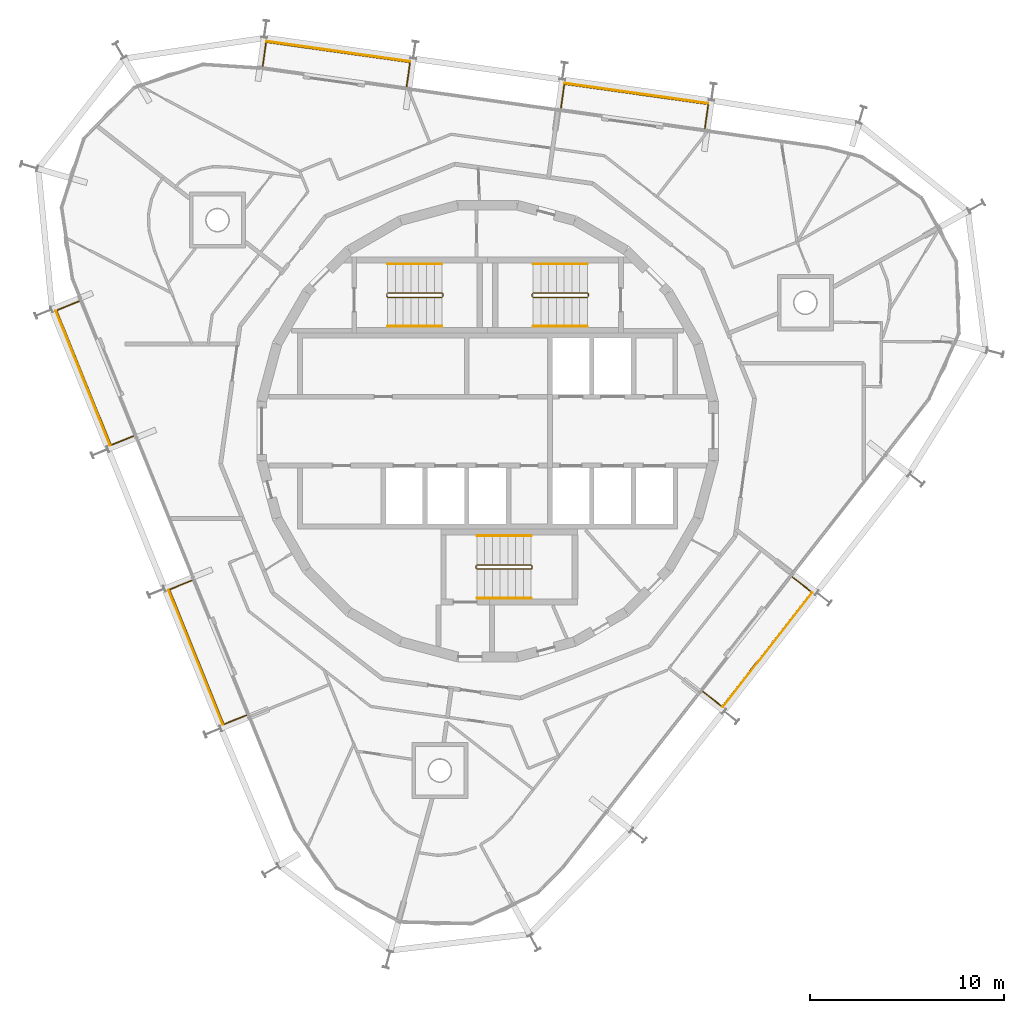
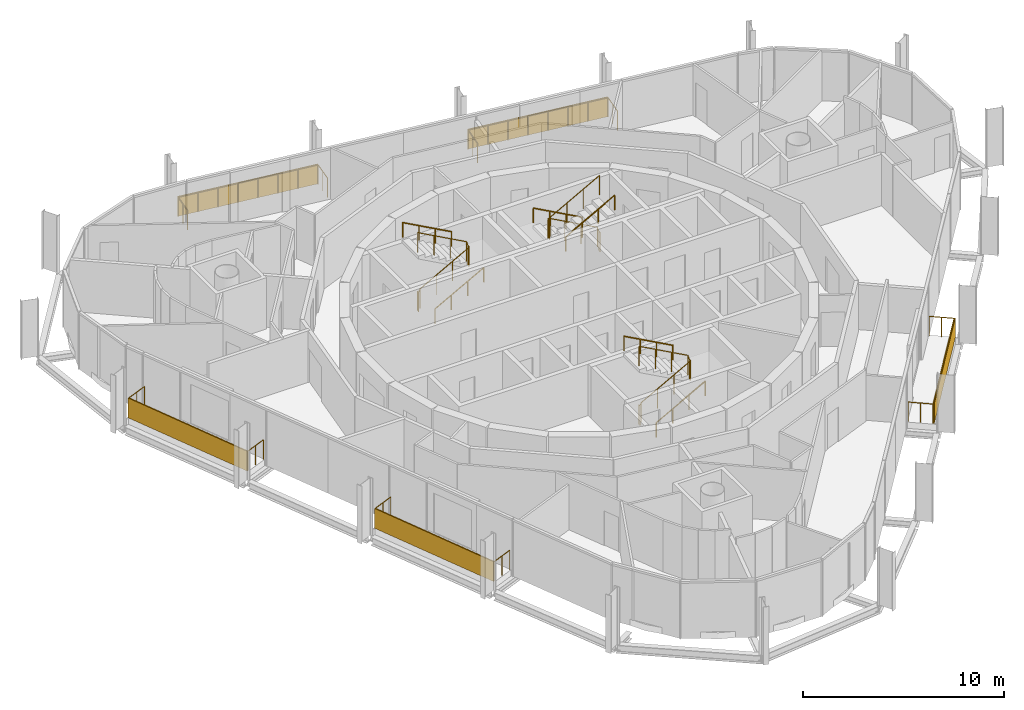
# One storey, part 15 of 15: 14 railings, 5 shading devices.
"""IFC4 building model written with IfcOpenShell, lengths in metres."""

from ifc_helpers import new_model, si_unit, direction, frame, origin, origin_2d, place, context, subcontext, project, spatial, rectangle, circle, extrude, material, layer, layer_set, type_object, element, save


model = new_model("IFC4")

# Units and contexts
model_context = context("Model", 3, precision=1e-05, world=origin(), true_north=direction((0.0, 1.0)))
body_context = subcontext(model_context, "Body", "Model", "MODEL_VIEW")
ifc_project = project(units=[si_unit("LENGTHUNIT", "METRE"), si_unit("AREAUNIT", "SQUARE_METRE"), si_unit("VOLUMEUNIT", "CUBIC_METRE"), si_unit("PLANEANGLEUNIT", "RADIAN"), si_unit("MASSUNIT", "GRAM", prefix="KILO")], contexts=[model_context])

# Site, building, storey
site_placement = place(None, origin())
site = spatial("IfcSite", under=ifc_project, at=site_placement, CompositionType="ELEMENT")
building_placement = place(site_placement, origin())
building = spatial("IfcBuilding", under=site, at=building_placement, Name="Spindle Arch Residences", CompositionType="ELEMENT")
storey_placement = place(building_placement, frame((0.0, 0.0, 343.5)))
storey = spatial("IfcBuildingStorey", under=building, at=storey_placement, Name="L88", CompositionType="ELEMENT", Elevation=343.5)

# Railings
ifc_material_1 = material(Name="Bronze anodised aluminium guard with glass infill", Category="aluminium")
railing_type_1 = type_object("IfcRailingType", Name="Balcony guard 1200", PredefinedType="GUARDRAIL", material=ifc_material_1)
railing_1_placement = place(storey_placement, frame((11.2080078125, 15.62060546875, 0.0)))
element("IfcRailing", 1, at=railing_1_placement, inside=storey, type_object=railing_type_1, Name="Guard L88 bay 6", PredefinedType="GUARDRAIL", context=body_context, shape_type="SweptSolid", body=[
    extrude(circle(Radius=0.02392578125, at=origin_2d()), frame((0.0, 0.0, 1.17578125), z_axis=(0.139069280047, 0.99028265427, 0.0), x_axis=(-0.99028265427, 0.139069280047, 0.0)), (0.0, 0.0, 1.0), 1.25),
    extrude(circle(Radius=0.02392578125, at=origin_2d()), frame((0.173828125, 1.23779296875, 1.17578125), z_axis=(-0.990267453735, 0.139177476887, 0.0), x_axis=(-0.139177476887, -0.990267453735, 0.0)), (0.0, 0.0, 1.0), 7.49560546875),
    extrude(circle(Radius=0.02392578125, at=origin_2d()), frame((-7.248779296875, 2.281005859375, 1.17578125), z_axis=(-0.139260816682, -0.990255737139, 0.0), x_axis=(0.990255737139, -0.139260816682, 0.0)), (0.0, 0.0, 1.0), 1.25),
    extrude(circle(Radius=0.02099609375, at=origin_2d()), origin(), (0.0, 0.0, 1.0), 1.15185546875),
    extrude(circle(Radius=0.02099609375, at=origin_2d()), frame((0.0869140625, 0.618896484375, 0.0)), (0.0, 0.0, 1.0), 1.15185546875),
    extrude(circle(Radius=0.02099609375, at=origin_2d()), frame((0.173828125, 1.23779296875, 0.0)), (0.0, 0.0, 1.0), 1.15185546875),
    extrude(circle(Radius=0.02099609375, at=origin_2d()), frame((-0.886474609375, 1.38671875, 0.0)), (0.0, 0.0, 1.0), 1.15185546875),
    extrude(circle(Radius=0.02099609375, at=origin_2d()), frame((-1.947021484375, 1.535888671875, 0.0)), (0.0, 0.0, 1.0), 1.15185546875),
    extrude(circle(Radius=0.02099609375, at=origin_2d()), frame((-3.00732421875, 1.684814453125, 0.0)), (0.0, 0.0, 1.0), 1.15185546875),
    extrude(circle(Radius=0.02099609375, at=origin_2d()), frame((-4.067626953125, 1.833984375, 0.0)), (0.0, 0.0, 1.0), 1.15185546875),
    extrude(circle(Radius=0.02099609375, at=origin_2d()), frame((-5.1279296875, 1.98291015625, 0.0)), (0.0, 0.0, 1.0), 1.15185546875),
    extrude(circle(Radius=0.02099609375, at=origin_2d()), frame((-6.1884765625, 2.132080078125, 0.0)), (0.0, 0.0, 1.0), 1.15185546875),
    extrude(circle(Radius=0.02099609375, at=origin_2d()), frame((-7.248779296875, 2.281005859375, 0.0)), (0.0, 0.0, 1.0), 1.15185546875),
    extrude(circle(Radius=0.02099609375, at=origin_2d()), frame((-7.3359375, 1.662109375, 0.0)), (0.0, 0.0, 1.0), 1.15185546875),
    extrude(circle(Radius=0.02099609375, at=origin_2d()), frame((-7.4228515625, 1.043212890625, 0.0)), (0.0, 0.0, 1.0), 1.15185546875),
])
railing_2_placement = place(storey_placement, frame((-4.172119140625, 17.7822265625, 0.0)))
element("IfcRailing", 2, at=railing_2_placement, inside=storey, type_object=railing_type_1, Name="Guard L88 bay 8", PredefinedType="GUARDRAIL", context=body_context, shape_type="SweptSolid", body=[
    extrude(circle(Radius=0.02392578125, at=origin_2d()), frame((0.0, 0.0, 1.17578125), z_axis=(0.139260816682, 0.990255737139, 0.0), x_axis=(-0.990255737139, 0.139260816682, 0.0)), (0.0, 0.0, 1.0), 1.25),
    extrude(circle(Radius=0.02392578125, at=origin_2d()), frame((0.174072265625, 1.23779296875, 1.17578125), z_axis=(-0.990268084624, 0.139172987949, 0.0), x_axis=(-0.139172987949, -0.990268084624, 0.0)), (0.0, 0.0, 1.0), 7.495849609375),
    extrude(circle(Radius=0.02392578125, at=origin_2d()), frame((-7.248779296875, 2.281005859375, 1.17578125), z_axis=(-0.13904238586, -0.990286430753, 0.0), x_axis=(0.990286430753, -0.13904238586, 0.0)), (0.0, 0.0, 1.0), 1.250244140625),
    extrude(circle(Radius=0.02099609375, at=origin_2d()), origin(), (0.0, 0.0, 1.0), 1.15185546875),
    extrude(circle(Radius=0.02099609375, at=origin_2d()), frame((0.0869140625, 0.618896484375, 0.0)), (0.0, 0.0, 1.0), 1.15185546875),
    extrude(circle(Radius=0.02099609375, at=origin_2d()), frame((0.174072265625, 1.23779296875, 0.0)), (0.0, 0.0, 1.0), 1.15185546875),
    extrude(circle(Radius=0.02099609375, at=origin_2d()), frame((-0.88623046875, 1.38671875, 0.0)), (0.0, 0.0, 1.0), 1.15185546875),
    extrude(circle(Radius=0.02099609375, at=origin_2d()), frame((-1.94677734375, 1.535888671875, 0.0)), (0.0, 0.0, 1.0), 1.15185546875),
    extrude(circle(Radius=0.02099609375, at=origin_2d()), frame((-3.007080078125, 1.684814453125, 0.0)), (0.0, 0.0, 1.0), 1.15185546875),
    extrude(circle(Radius=0.02099609375, at=origin_2d()), frame((-4.067626953125, 1.833984375, 0.0)), (0.0, 0.0, 1.0), 1.15185546875),
    extrude(circle(Radius=0.02099609375, at=origin_2d()), frame((-5.1279296875, 1.98291015625, 0.0)), (0.0, 0.0, 1.0), 1.15185546875),
    extrude(circle(Radius=0.02099609375, at=origin_2d()), frame((-6.1884765625, 2.132080078125, 0.0)), (0.0, 0.0, 1.0), 1.15185546875),
    extrude(circle(Radius=0.02099609375, at=origin_2d()), frame((-7.248779296875, 2.281005859375, 0.0)), (0.0, 0.0, 1.0), 1.15185546875),
    extrude(circle(Radius=0.02099609375, at=origin_2d()), frame((-7.335693359375, 1.662109375, 0.0)), (0.0, 0.0, 1.0), 1.15185546875),
    extrude(circle(Radius=0.02099609375, at=origin_2d()), frame((-7.422607421875, 1.04296875, 0.0)), (0.0, 0.0, 1.0), 1.15185546875),
])
railing_3_placement = place(storey_placement, frame((-21.071044921875, 6.696044921875, 0.0)))
element("IfcRailing", 3, at=railing_3_placement, inside=storey, type_object=railing_type_1, Name="Guard L88 bay 12", PredefinedType="GUARDRAIL", context=body_context, shape_type="SweptSolid", body=[
    extrude(circle(Radius=0.02392578125, at=origin_2d()), frame((0.0, 0.0, 1.17578125), z_axis=(-0.927205321856, -0.374553455627, 0.0), x_axis=(0.374553455627, -0.927205321856, 0.0)), (0.0, 0.0, 1.0), 1.250244140625),
    extrude(circle(Radius=0.02392578125, at=origin_2d()), frame((-1.1591796875, -0.46826171875, 1.17578125), z_axis=(0.374634298501, -0.927172660504, 0.0), x_axis=(0.927172660504, 0.374634298501, 0.0)), (0.0, 0.0, 1.0), 7.49560546875),
    extrude(circle(Radius=0.02392578125, at=origin_2d()), frame((1.64892578125, -7.41796875, 1.17578125), z_axis=(0.927177918056, 0.374621286461, 0.0), x_axis=(-0.374621286461, 0.927177918056, 0.0)), (0.0, 0.0, 1.0), 1.25),
    extrude(circle(Radius=0.02099609375, at=origin_2d()), origin(), (0.0, 0.0, 1.0), 1.15185546875),
    extrude(circle(Radius=0.02099609375, at=origin_2d()), frame((-0.57958984375, -0.234130859375, 0.0)), (0.0, 0.0, 1.0), 1.15185546875),
    extrude(circle(Radius=0.02099609375, at=origin_2d()), frame((-1.1591796875, -0.46826171875, 0.0)), (0.0, 0.0, 1.0), 1.15185546875),
    extrude(circle(Radius=0.02099609375, at=origin_2d()), frame((-0.758056640625, -1.461181640625, 0.0)), (0.0, 0.0, 1.0), 1.15185546875),
    extrude(circle(Radius=0.02099609375, at=origin_2d()), frame((-0.35693359375, -2.453857421875, 0.0)), (0.0, 0.0, 1.0), 1.15185546875),
    extrude(circle(Radius=0.02099609375, at=origin_2d()), frame((0.044189453125, -3.44677734375, 0.0)), (0.0, 0.0, 1.0), 1.15185546875),
    extrude(circle(Radius=0.02099609375, at=origin_2d()), frame((0.445556640625, -4.439453125, 0.0)), (0.0, 0.0, 1.0), 1.15185546875),
    extrude(circle(Radius=0.02099609375, at=origin_2d()), frame((0.8466796875, -5.432373046875, 0.0)), (0.0, 0.0, 1.0), 1.15185546875),
    extrude(circle(Radius=0.02099609375, at=origin_2d()), frame((1.247802734375, -6.425048828125, 0.0)), (0.0, 0.0, 1.0), 1.15185546875),
    extrude(circle(Radius=0.02099609375, at=origin_2d()), frame((1.64892578125, -7.41796875, 0.0)), (0.0, 0.0, 1.0), 1.15185546875),
    extrude(circle(Radius=0.02099609375, at=origin_2d()), frame((2.228515625, -7.183837890625, 0.0)), (0.0, 0.0, 1.0), 1.15185546875),
    extrude(circle(Radius=0.02099609375, at=origin_2d()), frame((2.807861328125, -6.94970703125, 0.0)), (0.0, 0.0, 1.0), 1.15185546875),
])
railing_4_placement = place(storey_placement, frame((-15.253173828125, -7.7041015625, 0.0)))
element("IfcRailing", 4, at=railing_4_placement, inside=storey, type_object=railing_type_1, Name="Guard L88 bay 14", PredefinedType="GUARDRAIL", context=body_context, shape_type="SweptSolid", body=[
    extrude(circle(Radius=0.02392578125, at=origin_2d()), frame((0.0, 0.0, 1.17578125), z_axis=(-0.927177918056, -0.374621286461, 0.0), x_axis=(0.374621286461, -0.927177918056, 0.0)), (0.0, 0.0, 1.0), 1.25),
    extrude(circle(Radius=0.02392578125, at=origin_2d()), frame((-1.158935546875, -0.46826171875, 1.17578125), z_axis=(0.374594985402, -0.927188544424, 0.0), x_axis=(0.927188544424, 0.374594985402, 0.0)), (0.0, 0.0, 1.0), 7.49560546875),
    extrude(circle(Radius=0.02392578125, at=origin_2d()), frame((1.64892578125, -7.418212890625, 1.17578125), z_axis=(0.927205321856, 0.374553455627, 0.0), x_axis=(-0.374553455627, 0.927205321856, 0.0)), (0.0, 0.0, 1.0), 1.250244140625),
    extrude(circle(Radius=0.02099609375, at=origin_2d()), origin(), (0.0, 0.0, 1.0), 1.15185546875),
    extrude(circle(Radius=0.02099609375, at=origin_2d()), frame((-0.57958984375, -0.234130859375, 0.0)), (0.0, 0.0, 1.0), 1.15185546875),
    extrude(circle(Radius=0.02099609375, at=origin_2d()), frame((-1.158935546875, -0.46826171875, 0.0)), (0.0, 0.0, 1.0), 1.15185546875),
    extrude(circle(Radius=0.02099609375, at=origin_2d()), frame((-0.7578125, -1.461181640625, 0.0)), (0.0, 0.0, 1.0), 1.15185546875),
    extrude(circle(Radius=0.02099609375, at=origin_2d()), frame((-0.356689453125, -2.453857421875, 0.0)), (0.0, 0.0, 1.0), 1.15185546875),
    extrude(circle(Radius=0.02099609375, at=origin_2d()), frame((0.04443359375, -3.44677734375, 0.0)), (0.0, 0.0, 1.0), 1.15185546875),
    extrude(circle(Radius=0.02099609375, at=origin_2d()), frame((0.445556640625, -4.439697265625, 0.0)), (0.0, 0.0, 1.0), 1.15185546875),
    extrude(circle(Radius=0.02099609375, at=origin_2d()), frame((0.8466796875, -5.4326171875, 0.0)), (0.0, 0.0, 1.0), 1.15185546875),
    extrude(circle(Radius=0.02099609375, at=origin_2d()), frame((1.247802734375, -6.42529296875, 0.0)), (0.0, 0.0, 1.0), 1.15185546875),
    extrude(circle(Radius=0.02099609375, at=origin_2d()), frame((1.64892578125, -7.418212890625, 0.0)), (0.0, 0.0, 1.0), 1.15185546875),
    extrude(circle(Radius=0.02099609375, at=origin_2d()), frame((2.228515625, -7.18408203125, 0.0)), (0.0, 0.0, 1.0), 1.15185546875),
    extrude(circle(Radius=0.02099609375, at=origin_2d()), frame((2.80810546875, -6.949951171875, 0.0)), (0.0, 0.0, 1.0), 1.15185546875),
])
railing_5_placement = place(storey_placement, frame((11.111328125, -13.43701171875, 0.0)))
element("IfcRailing", 5, at=railing_5_placement, inside=storey, type_object=railing_type_1, Name="Guard L88 bay 20", PredefinedType="GUARDRAIL", context=body_context, shape_type="SweptSolid", body=[
    extrude(circle(Radius=0.02392578125, at=origin_2d()), frame((0.0, 0.0, 1.17578125), z_axis=(0.787982912033, -0.615697109254, 0.0), x_axis=(0.615697109254, 0.787982912033, 0.0)), (0.0, 0.0, 1.0), 1.249755859375),
    extrude(circle(Radius=0.02392578125, at=origin_2d()), frame((0.98486328125, -0.76953125, 1.17578125), z_axis=(0.615668692597, 0.788005114803, 0.0), x_axis=(-0.788005114803, 0.615668692597, 0.0)), (0.0, 0.0, 1.0), 7.49560546875),
    extrude(circle(Radius=0.02392578125, at=origin_2d()), frame((5.599609375, 5.136962890625, 1.17578125), z_axis=(-0.788056943247, 0.61560235071, 0.0), x_axis=(-0.61560235071, -0.788056943247, 0.0)), (0.0, 0.0, 1.0), 1.25),
    extrude(circle(Radius=0.02099609375, at=origin_2d()), origin(), (0.0, 0.0, 1.0), 1.15185546875),
    extrude(circle(Radius=0.02099609375, at=origin_2d()), frame((0.492431640625, -0.384765625, 0.0)), (0.0, 0.0, 1.0), 1.15185546875),
    extrude(circle(Radius=0.02099609375, at=origin_2d()), frame((0.98486328125, -0.76953125, 0.0)), (0.0, 0.0, 1.0), 1.15185546875),
    extrude(circle(Radius=0.02099609375, at=origin_2d()), frame((1.64404296875, 0.07421875, 0.0)), (0.0, 0.0, 1.0), 1.15185546875),
    extrude(circle(Radius=0.02099609375, at=origin_2d()), frame((2.303466796875, 0.91796875, 0.0)), (0.0, 0.0, 1.0), 1.15185546875),
    extrude(circle(Radius=0.02099609375, at=origin_2d()), frame((2.962646484375, 1.76171875, 0.0)), (0.0, 0.0, 1.0), 1.15185546875),
    extrude(circle(Radius=0.02099609375, at=origin_2d()), frame((3.621826171875, 2.605712890625, 0.0)), (0.0, 0.0, 1.0), 1.15185546875),
    extrude(circle(Radius=0.02099609375, at=origin_2d()), frame((4.281005859375, 3.449462890625, 0.0)), (0.0, 0.0, 1.0), 1.15185546875),
    extrude(circle(Radius=0.02099609375, at=origin_2d()), frame((4.9404296875, 4.293212890625, 0.0)), (0.0, 0.0, 1.0), 1.15185546875),
    extrude(circle(Radius=0.02099609375, at=origin_2d()), frame((5.599609375, 5.136962890625, 0.0)), (0.0, 0.0, 1.0), 1.15185546875),
    extrude(circle(Radius=0.02099609375, at=origin_2d()), frame((5.10693359375, 5.521728515625, 0.0)), (0.0, 0.0, 1.0), 1.15185546875),
    extrude(circle(Radius=0.02099609375, at=origin_2d()), frame((4.614501953125, 5.906494140625, 0.0)), (0.0, 0.0, 1.0), 1.15185546875),
])

# Shading devices
ifc_material_2 = material(Name="Bronze perforated cobogo screen")
ifc_layer = layer(ifc_material_2, 0.0390625)
ifc_layer_set = layer_set([ifc_layer], Name="Cobogo screen 1200")
shading_device_type = type_object("IfcShadingDeviceType", Name="Cobogo screen 1200", PredefinedType="USERDEFINED", material=ifc_layer_set)
for number, where, z_axis, x_axis, name in (
    (6, (7.67626953125, 17.420166015625, 0.0), (0.0, 0.0, 1.0), (-0.990268068742, 0.13917310096, 0.0), "Cobogo screen L88 bay 6"),
    (7, (-7.703857421875, 19.58154296875, 0.0), (0.0, 0.0, 1.0), (-0.990268068742, 0.13917310096, 0.0), "Cobogo screen L88 bay 8"),
    (8, (-20.86376953125, 2.73779296875, 0.0), (0.0, 0.0, 1.0), (0.374606593416, -0.927183854567, 0.0), "Cobogo screen L88 bay 12"),
    (9, (-15.045654296875, -11.662353515625, 0.0), (0.0, 0.0, 1.0), (0.374606593416, -0.927183854567, 0.0), "Cobogo screen L88 bay 14"),
    (10, (14.435546875, -11.2783203125, 0.0), (0.0, 0.0, 1.0), (0.615661475326, 0.788010753607, 0.0), "Cobogo screen L88 bay 20"),
):
    element("IfcShadingDevice", number, at=place(storey_placement, frame(where, z_axis=z_axis, x_axis=x_axis)), inside=storey, type_object=shading_device_type, Name=name, ObjectType="SCREEN", PredefinedType="USERDEFINED", context=body_context, shape_type="SweptSolid", body=[
        extrude(rectangle(XDim=7.49560546875, YDim=0.0390625, at=origin_2d()), origin(), (0.0, 0.0, 1.0), 1.199951171875),
    ])

# Railings
ifc_material_3 = material(Name="Steel, painted", Category="steel")
railing_type_2 = type_object("IfcRailingType", Name="Stair guard 1100", PredefinedType="GUARDRAIL", material=ifc_material_3)
railing_6_placement = place(storey_placement, frame((5.14990234375, 6.89990234375, 3.5)))
element("IfcRailing", 11, at=railing_6_placement, inside=storey, type_object=railing_type_2, Name="L88 ST1 stair guard 1", PredefinedType="GUARDRAIL", context=body_context, shape_type="SweptSolid", body=[
    extrude(circle(Radius=0.02392578125, at=origin_2d()), frame((0.0, 0.0, 1.17578125), z_axis=(-0.877357048833, 0.0, -0.479838106931), x_axis=(0.0, -1.0, 0.0)), (0.0, 0.0, 1.0), 3.191162109375),
    extrude(circle(Radius=0.02392578125, at=origin_2d()), frame((-2.7998046875, 0.0, -0.35546875), z_axis=(-0.217683172539, 0.217683172539, -0.951434744366), x_axis=(-0.707106781187, -0.707106781187, 0.0)), (0.0, 0.0, 1.0), 0.22998046875),
    extrude(circle(Radius=0.02392578125, at=origin_2d()), frame((-2.849853515625, 0.050048828125, -0.57421875), z_axis=(0.0, 1.0, 0.0), x_axis=(-1.0, 0.0, 0.0)), (0.0, 0.0, 1.0), 0.1201171875),
    extrude(circle(Radius=0.02392578125, at=origin_2d()), frame((-2.849853515625, 0.170166015625, -0.57421875), z_axis=(0.707106781187, 0.707106781187, 0.0), x_axis=(-0.707106781187, 0.707106781187, 0.0)), (0.0, 0.0, 1.0), 0.07080078125),
    extrude(circle(Radius=0.02392578125, at=origin_2d()), frame((-2.7998046875, 0.22021484375, -0.57421875), z_axis=(0.877357048833, 0.0, -0.479838106931), x_axis=(0.0, 1.0, 0.0)), (0.0, 0.0, 1.0), 3.191162109375),
    extrude(circle(Radius=0.02392578125, at=origin_2d()), frame((0.0, 0.22021484375, -2.10546875), z_axis=(0.217683172539, -0.217683172539, -0.951434744366), x_axis=(0.707106781187, 0.707106781187, 0.0)), (0.0, 0.0, 1.0), 0.22998046875),
    extrude(circle(Radius=0.02392578125, at=origin_2d()), frame((0.050048828125, 0.170166015625, -2.32421875), z_axis=(0.0, -1.0, 0.0), x_axis=(1.0, 0.0, 0.0)), (0.0, 0.0, 1.0), 0.1201171875),
    extrude(circle(Radius=0.02099609375, at=origin_2d()), origin(), (0.0, 0.0, 1.0), 1.15185546875),
    extrude(circle(Radius=0.02099609375, at=origin_2d()), frame((-0.933349609375, 0.0, -0.510498046875)), (0.0, 0.0, 1.0), 1.15185546875),
    extrude(circle(Radius=0.02099609375, at=origin_2d()), frame((-1.866455078125, 0.0, -1.020751953125)), (0.0, 0.0, 1.0), 1.15185546875),
    extrude(circle(Radius=0.02099609375, at=origin_2d()), frame((-2.7998046875, 0.0, -1.53125)), (0.0, 0.0, 1.0), 1.15185546875),
    extrude(circle(Radius=0.02099609375, at=origin_2d()), frame((-2.849853515625, 0.050048828125, -1.75)), (0.0, 0.0, 1.0), 1.15185546875),
    extrude(circle(Radius=0.02099609375, at=origin_2d()), frame((-2.849853515625, 0.170166015625, -1.75)), (0.0, 0.0, 1.0), 1.15185546875),
    extrude(circle(Radius=0.02099609375, at=origin_2d()), frame((-2.7998046875, 0.22021484375, -1.75)), (0.0, 0.0, 1.0), 1.15185546875),
    extrude(circle(Radius=0.02099609375, at=origin_2d()), frame((-1.866455078125, 0.22021484375, -2.260498046875)), (0.0, 0.0, 1.0), 1.15185546875),
    extrude(circle(Radius=0.02099609375, at=origin_2d()), frame((-0.933349609375, 0.22021484375, -2.770751953125)), (0.0, 0.0, 1.0), 1.15185546875),
    extrude(circle(Radius=0.02099609375, at=origin_2d()), frame((0.0, 0.22021484375, -3.28125)), (0.0, 0.0, 1.0), 1.15185546875),
    extrude(circle(Radius=0.02099609375, at=origin_2d()), frame((0.050048828125, 0.170166015625, -3.5)), (0.0, 0.0, 1.0), 1.15185546875),
    extrude(circle(Radius=0.02099609375, at=origin_2d()), frame((0.050048828125, 0.050048828125, -3.5)), (0.0, 0.0, 1.0), 1.15185546875),
])
railing_7_placement = place(storey_placement, frame((-5.14990234375, 7.1201171875, 3.5)))
element("IfcRailing", 12, at=railing_7_placement, inside=storey, type_object=railing_type_2, Name="L88 ST2 stair guard 1", PredefinedType="GUARDRAIL", context=body_context, shape_type="SweptSolid", body=[
    extrude(circle(Radius=0.02392578125, at=origin_2d()), frame((0.0, 0.0, 1.17578125), z_axis=(0.877357048833, 0.0, -0.479838106931), x_axis=(0.0, 1.0, 0.0)), (0.0, 0.0, 1.0), 3.191162109375),
    extrude(circle(Radius=0.02392578125, at=origin_2d()), frame((2.7998046875, 0.0, -0.35546875), z_axis=(0.217683172539, -0.217683172539, -0.951434744366), x_axis=(0.707106781187, 0.707106781187, 0.0)), (0.0, 0.0, 1.0), 0.22998046875),
    extrude(circle(Radius=0.02392578125, at=origin_2d()), frame((2.849853515625, -0.050048828125, -0.57421875), z_axis=(0.0, -1.0, 0.0), x_axis=(1.0, 0.0, 0.0)), (0.0, 0.0, 1.0), 0.1201171875),
    extrude(circle(Radius=0.02392578125, at=origin_2d()), frame((2.849853515625, -0.170166015625, -0.57421875), z_axis=(-0.707106781187, -0.707106781187, 0.0), x_axis=(0.707106781187, -0.707106781187, 0.0)), (0.0, 0.0, 1.0), 0.07080078125),
    extrude(circle(Radius=0.02392578125, at=origin_2d()), frame((2.7998046875, -0.22021484375, -0.57421875), z_axis=(-0.877357048833, 0.0, -0.479838106931), x_axis=(0.0, -1.0, 0.0)), (0.0, 0.0, 1.0), 3.191162109375),
    extrude(circle(Radius=0.02392578125, at=origin_2d()), frame((0.0, -0.22021484375, -2.10546875), z_axis=(-0.217683172539, 0.217683172539, -0.951434744366), x_axis=(-0.707106781187, -0.707106781187, 0.0)), (0.0, 0.0, 1.0), 0.22998046875),
    extrude(circle(Radius=0.02392578125, at=origin_2d()), frame((-0.050048828125, -0.170166015625, -2.32421875), z_axis=(0.0, 1.0, 0.0), x_axis=(-1.0, 0.0, 0.0)), (0.0, 0.0, 1.0), 0.1201171875),
    extrude(circle(Radius=0.02099609375, at=origin_2d()), origin(), (0.0, 0.0, 1.0), 1.15185546875),
    extrude(circle(Radius=0.02099609375, at=origin_2d()), frame((0.933349609375, 0.0, -0.510498046875)), (0.0, 0.0, 1.0), 1.15185546875),
    extrude(circle(Radius=0.02099609375, at=origin_2d()), frame((1.866455078125, 0.0, -1.020751953125)), (0.0, 0.0, 1.0), 1.15185546875),
    extrude(circle(Radius=0.02099609375, at=origin_2d()), frame((2.7998046875, 0.0, -1.53125)), (0.0, 0.0, 1.0), 1.15185546875),
    extrude(circle(Radius=0.02099609375, at=origin_2d()), frame((2.849853515625, -0.050048828125, -1.75)), (0.0, 0.0, 1.0), 1.15185546875),
    extrude(circle(Radius=0.02099609375, at=origin_2d()), frame((2.849853515625, -0.170166015625, -1.75)), (0.0, 0.0, 1.0), 1.15185546875),
    extrude(circle(Radius=0.02099609375, at=origin_2d()), frame((2.7998046875, -0.22021484375, -1.75)), (0.0, 0.0, 1.0), 1.15185546875),
    extrude(circle(Radius=0.02099609375, at=origin_2d()), frame((1.866455078125, -0.22021484375, -2.260498046875)), (0.0, 0.0, 1.0), 1.15185546875),
    extrude(circle(Radius=0.02099609375, at=origin_2d()), frame((0.933349609375, -0.22021484375, -2.770751953125)), (0.0, 0.0, 1.0), 1.15185546875),
    extrude(circle(Radius=0.02099609375, at=origin_2d()), frame((0.0, -0.22021484375, -3.28125)), (0.0, 0.0, 1.0), 1.15185546875),
    extrude(circle(Radius=0.02099609375, at=origin_2d()), frame((-0.050048828125, -0.170166015625, -3.5)), (0.0, 0.0, 1.0), 1.15185546875),
    extrude(circle(Radius=0.02099609375, at=origin_2d()), frame((-0.050048828125, -0.050048828125, -3.5)), (0.0, 0.0, 1.0), 1.15185546875),
])
railing_8_placement = place(storey_placement, frame((-0.550048828125, -6.89990234375, 3.5)))
element("IfcRailing", 13, at=railing_8_placement, inside=storey, type_object=railing_type_2, Name="L88 ST3 stair guard 1", PredefinedType="GUARDRAIL", context=body_context, shape_type="SweptSolid", body=[
    extrude(circle(Radius=0.02392578125, at=origin_2d()), frame((0.0, 0.0, 1.17578125), z_axis=(0.877374661878, 0.0, -0.479805901063), x_axis=(0.0, 1.0, 0.0)), (0.0, 0.0, 1.0), 3.19140625),
    extrude(circle(Radius=0.02392578125, at=origin_2d()), frame((2.800048828125, 0.0, -0.35546875), z_axis=(0.217683172539, -0.217683172539, -0.951434744366), x_axis=(0.707106781187, 0.707106781187, 0.0)), (0.0, 0.0, 1.0), 0.22998046875),
    extrude(circle(Radius=0.02392578125, at=origin_2d()), frame((2.85009765625, -0.050048828125, -0.57421875), z_axis=(0.0, -1.0, 0.0), x_axis=(1.0, 0.0, 0.0)), (0.0, 0.0, 1.0), 0.1201171875),
    extrude(circle(Radius=0.02392578125, at=origin_2d()), frame((2.85009765625, -0.170166015625, -0.57421875), z_axis=(-0.707106781187, -0.707106781187, 0.0), x_axis=(0.707106781187, -0.707106781187, 0.0)), (0.0, 0.0, 1.0), 0.07080078125),
    extrude(circle(Radius=0.02392578125, at=origin_2d()), frame((2.800048828125, -0.22021484375, -0.57421875), z_axis=(-0.877374661878, 0.0, -0.479805901063), x_axis=(0.0, -1.0, 0.0)), (0.0, 0.0, 1.0), 3.19140625),
    extrude(circle(Radius=0.02392578125, at=origin_2d()), frame((0.0, -0.22021484375, -2.10546875), z_axis=(-0.217683172539, 0.217683172539, -0.951434744366), x_axis=(-0.707106781187, -0.707106781187, 0.0)), (0.0, 0.0, 1.0), 0.22998046875),
    extrude(circle(Radius=0.02392578125, at=origin_2d()), frame((-0.050048828125, -0.170166015625, -2.32421875), z_axis=(0.0, 1.0, 0.0), x_axis=(-1.0, 0.0, 0.0)), (0.0, 0.0, 1.0), 0.1201171875),
    extrude(circle(Radius=0.02099609375, at=origin_2d()), origin(), (0.0, 0.0, 1.0), 1.15185546875),
    extrude(circle(Radius=0.02099609375, at=origin_2d()), frame((0.933349609375, 0.0, -0.510498046875)), (0.0, 0.0, 1.0), 1.15185546875),
    extrude(circle(Radius=0.02099609375, at=origin_2d()), frame((1.86669921875, 0.0, -1.020751953125)), (0.0, 0.0, 1.0), 1.15185546875),
    extrude(circle(Radius=0.02099609375, at=origin_2d()), frame((2.800048828125, 0.0, -1.53125)), (0.0, 0.0, 1.0), 1.15185546875),
    extrude(circle(Radius=0.02099609375, at=origin_2d()), frame((2.85009765625, -0.050048828125, -1.75)), (0.0, 0.0, 1.0), 1.15185546875),
    extrude(circle(Radius=0.02099609375, at=origin_2d()), frame((2.85009765625, -0.170166015625, -1.75)), (0.0, 0.0, 1.0), 1.15185546875),
    extrude(circle(Radius=0.02099609375, at=origin_2d()), frame((2.800048828125, -0.22021484375, -1.75)), (0.0, 0.0, 1.0), 1.15185546875),
    extrude(circle(Radius=0.02099609375, at=origin_2d()), frame((1.86669921875, -0.22021484375, -2.260498046875)), (0.0, 0.0, 1.0), 1.15185546875),
    extrude(circle(Radius=0.02099609375, at=origin_2d()), frame((0.933349609375, -0.22021484375, -2.770751953125)), (0.0, 0.0, 1.0), 1.15185546875),
    extrude(circle(Radius=0.02099609375, at=origin_2d()), frame((0.0, -0.22021484375, -3.28125)), (0.0, 0.0, 1.0), 1.15185546875),
    extrude(circle(Radius=0.02099609375, at=origin_2d()), frame((-0.050048828125, -0.170166015625, -3.5)), (0.0, 0.0, 1.0), 1.15185546875),
    extrude(circle(Radius=0.02099609375, at=origin_2d()), frame((-0.050048828125, -0.050048828125, -3.5)), (0.0, 0.0, 1.0), 1.15185546875),
])
ifc_material_4 = material(Name="Steel, painted", Category="steel")
railing_type_3 = type_object("IfcRailingType", Name="Stair handrail 900", PredefinedType="HANDRAIL", material=ifc_material_4)
railing_9_placement = place(storey_placement, frame((5.14990234375, 8.6201171875, 0.21875)))
element("IfcRailing", 14, at=railing_9_placement, inside=storey, type_object=railing_type_3, Name="L88 ST1 stair handrail 1", PredefinedType="HANDRAIL", context=body_context, shape_type="SweptSolid", body=[
    extrude(circle(Radius=0.02392578125, at=origin_2d()), frame((0.0, 0.0, 0.8759765625), z_axis=(-0.877357048833, 0.0, 0.479838106931), x_axis=(0.0, -1.0, 0.0)), (0.0, 0.0, 1.0), 3.191162109375),
    extrude(circle(Radius=0.02099609375, at=origin_2d()), origin(), (0.0, 0.0, 1.0), 0.851806640625),
    extrude(circle(Radius=0.02099609375, at=origin_2d()), frame((-0.933349609375, 0.0, 0.510498046875)), (0.0, 0.0, 1.0), 0.851806640625),
    extrude(circle(Radius=0.02099609375, at=origin_2d()), frame((-1.866455078125, 0.0, 1.020751953125)), (0.0, 0.0, 1.0), 0.851806640625),
    extrude(circle(Radius=0.02099609375, at=origin_2d()), frame((-2.7998046875, 0.0, 1.53125)), (0.0, 0.0, 1.0), 0.851806640625),
])
for number, where, name in (
    (15, (2.35009765625, 5.39990234375, 1.96875), "L88 ST1 stair handrail 2"),
    (16, (-5.14990234375, 5.39990234375, 0.21875), "L88 ST2 stair handrail 1"),
):
    element("IfcRailing", number, at=place(storey_placement, frame(where)), inside=storey, type_object=railing_type_3, Name=name, PredefinedType="HANDRAIL", context=body_context, shape_type="SweptSolid", body=[
        extrude(circle(Radius=0.02392578125, at=origin_2d()), frame((0.0, 0.0, 0.8759765625), z_axis=(0.877357048833, 0.0, 0.479838106931), x_axis=(0.0, 1.0, 0.0)), (0.0, 0.0, 1.0), 3.191162109375),
        extrude(circle(Radius=0.02099609375, at=origin_2d()), origin(), (0.0, 0.0, 1.0), 0.851806640625),
        extrude(circle(Radius=0.02099609375, at=origin_2d()), frame((0.933349609375, 0.0, 0.510498046875)), (0.0, 0.0, 1.0), 0.851806640625),
        extrude(circle(Radius=0.02099609375, at=origin_2d()), frame((1.866455078125, 0.0, 1.020751953125)), (0.0, 0.0, 1.0), 0.851806640625),
        extrude(circle(Radius=0.02099609375, at=origin_2d()), frame((2.7998046875, 0.0, 1.53125)), (0.0, 0.0, 1.0), 0.851806640625),
    ])
railing_10_placement = place(storey_placement, frame((-2.35009765625, 8.6201171875, 1.96875)))
element("IfcRailing", 17, at=railing_10_placement, inside=storey, type_object=railing_type_3, Name="L88 ST2 stair handrail 2", PredefinedType="HANDRAIL", context=body_context, shape_type="SweptSolid", body=[
    extrude(circle(Radius=0.02392578125, at=origin_2d()), frame((0.0, 0.0, 0.8759765625), z_axis=(-0.877357048833, 0.0, 0.479838106931), x_axis=(0.0, -1.0, 0.0)), (0.0, 0.0, 1.0), 3.191162109375),
    extrude(circle(Radius=0.02099609375, at=origin_2d()), origin(), (0.0, 0.0, 1.0), 0.851806640625),
    extrude(circle(Radius=0.02099609375, at=origin_2d()), frame((-0.933349609375, 0.0, 0.510498046875)), (0.0, 0.0, 1.0), 0.851806640625),
    extrude(circle(Radius=0.02099609375, at=origin_2d()), frame((-1.866455078125, 0.0, 1.020751953125)), (0.0, 0.0, 1.0), 0.851806640625),
    extrude(circle(Radius=0.02099609375, at=origin_2d()), frame((-2.7998046875, 0.0, 1.53125)), (0.0, 0.0, 1.0), 0.851806640625),
])
railing_11_placement = place(storey_placement, frame((-0.550048828125, -8.6201171875, 0.21875)))
element("IfcRailing", 18, at=railing_11_placement, inside=storey, type_object=railing_type_3, Name="L88 ST3 stair handrail 1", PredefinedType="HANDRAIL", context=body_context, shape_type="SweptSolid", body=[
    extrude(circle(Radius=0.02392578125, at=origin_2d()), frame((0.0, 0.0, 0.8759765625), z_axis=(0.877374661878, 0.0, 0.479805901063), x_axis=(0.0, 1.0, 0.0)), (0.0, 0.0, 1.0), 3.19140625),
    extrude(circle(Radius=0.02099609375, at=origin_2d()), origin(), (0.0, 0.0, 1.0), 0.851806640625),
    extrude(circle(Radius=0.02099609375, at=origin_2d()), frame((0.933349609375, 0.0, 0.510498046875)), (0.0, 0.0, 1.0), 0.851806640625),
    extrude(circle(Radius=0.02099609375, at=origin_2d()), frame((1.86669921875, 0.0, 1.020751953125)), (0.0, 0.0, 1.0), 0.851806640625),
    extrude(circle(Radius=0.02099609375, at=origin_2d()), frame((2.800048828125, 0.0, 1.53125)), (0.0, 0.0, 1.0), 0.851806640625),
])
railing_12_placement = place(storey_placement, frame((2.25, -5.39990234375, 1.96875)))
element("IfcRailing", 19, at=railing_12_placement, inside=storey, type_object=railing_type_3, Name="L88 ST3 stair handrail 2", PredefinedType="HANDRAIL", context=body_context, shape_type="SweptSolid", body=[
    extrude(circle(Radius=0.02392578125, at=origin_2d()), frame((0.0, 0.0, 0.8759765625), z_axis=(-0.877374661878, 0.0, 0.479805901063), x_axis=(0.0, -1.0, 0.0)), (0.0, 0.0, 1.0), 3.19140625),
    extrude(circle(Radius=0.02099609375, at=origin_2d()), origin(), (0.0, 0.0, 1.0), 0.851806640625),
    extrude(circle(Radius=0.02099609375, at=origin_2d()), frame((-0.933349609375, 0.0, 0.510498046875)), (0.0, 0.0, 1.0), 0.851806640625),
    extrude(circle(Radius=0.02099609375, at=origin_2d()), frame((-1.86669921875, 0.0, 1.020751953125)), (0.0, 0.0, 1.0), 0.851806640625),
    extrude(circle(Radius=0.02099609375, at=origin_2d()), frame((-2.800048828125, 0.0, 1.53125)), (0.0, 0.0, 1.0), 0.851806640625),
])

save(model, "model.ifc")
